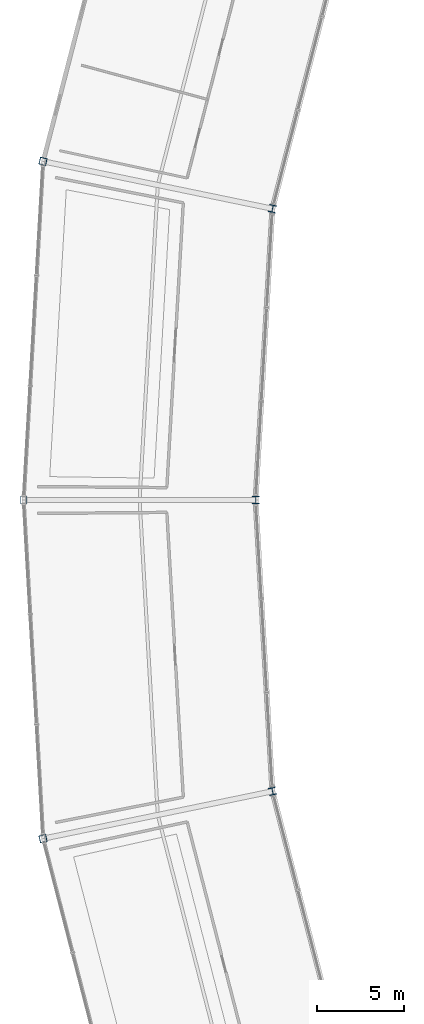
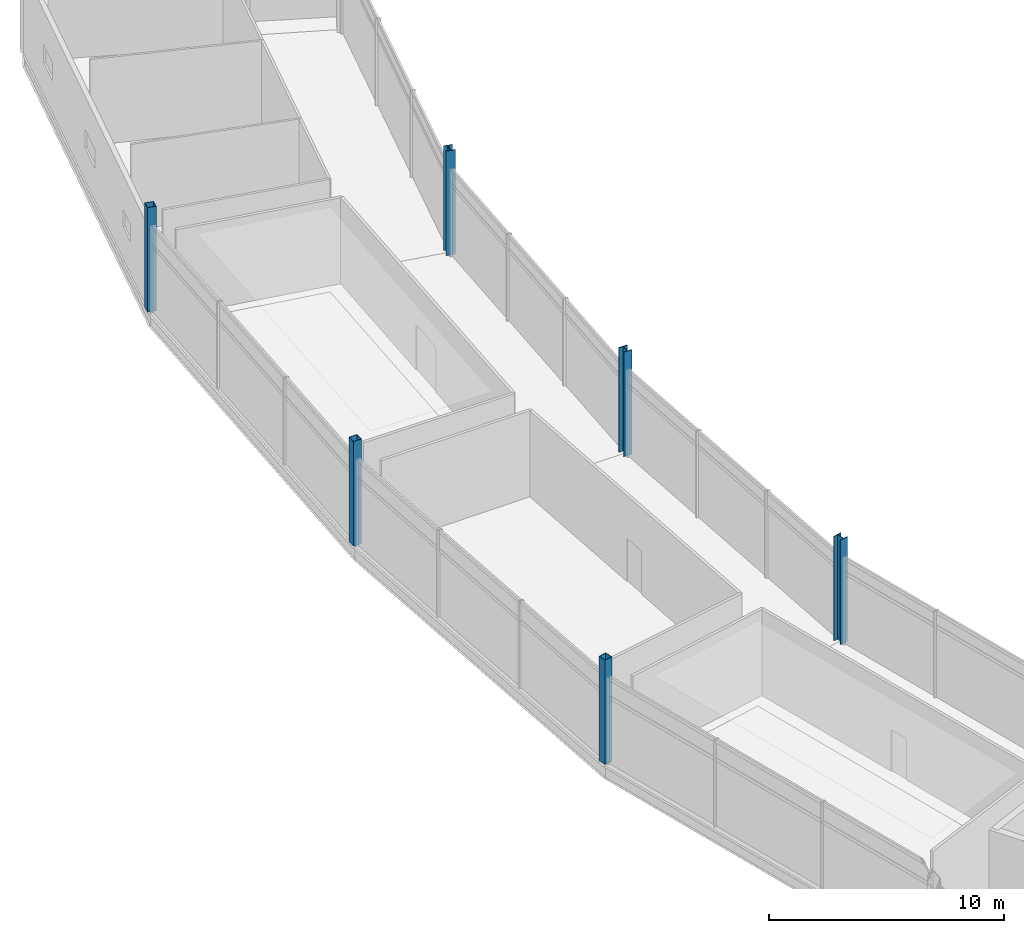
# One storey, part 4 of 86: 6 columns.
"""IFC4 building model written with IfcOpenShell, lengths in metres."""

from ifc_helpers import new_model, si_unit, direction, frame, origin, origin_2d, place, context, subcontext, project, spatial, hollow_rectangle, i_section, extrude, material, material_profile, profile_set, type_object, element, save


model = new_model("IFC4")

# Units and contexts
model_context = context("Model", 3, precision=1e-05, world=origin(), true_north=direction((0.0, 1.0)))
body_context = subcontext(model_context, "Body", "Model", "MODEL_VIEW")
ifc_project = project(units=[si_unit("LENGTHUNIT", "METRE"), si_unit("AREAUNIT", "SQUARE_METRE"), si_unit("VOLUMEUNIT", "CUBIC_METRE"), si_unit("PLANEANGLEUNIT", "RADIAN"), si_unit("MASSUNIT", "GRAM", prefix="KILO")], contexts=[model_context])

# Site, building, storey
site_placement = place(None, origin())
site = spatial("IfcSite", under=ifc_project, at=site_placement, CompositionType="ELEMENT")
building_placement = place(site_placement, origin())
building = spatial("IfcBuilding", under=site, at=building_placement, Name="Kazemori Nagisa Stadium", CompositionType="ELEMENT")
storey_placement = place(building_placement, frame((0.0, 0.0, 31.280029296875)))
storey = spatial("IfcBuildingStorey", under=building, at=storey_placement, Name="L06", CompositionType="ELEMENT", Elevation=31.280029296875)

# Columns
ifc_material_1 = material(Name="Steel SN490B", Category="steel")
ifc_material_profile_1 = material_profile(ifc_material_1, i_section(OverallWidth=0.406982421875, OverallDepth=0.427978515625, WebThickness=0.02001953125, FlangeThickness=0.034912109375, FilletRadius=0.012939453125, at=origin_2d()), Name="H-428x407x20x35")
ifc_profile_set_1 = profile_set([ifc_material_profile_1], Name="Steel SN490B")
column_type_1 = type_object("IfcColumnType", Name="Column_C-H428", PredefinedType="COLUMN", material=ifc_profile_set_1)
for number, where, z_axis, x_axis, name in (
    (1, (42.262451171875, 118.68212890625, 0.0), (0.0, 0.0, 1.0), (-0.974927912182, 0.222520933954, 0.0), "Column C-H428 L06 R2-14"),
    (2, (41.300048828125, 102.0, 0.0), (0.0, 0.0, 1.0), (-1.0, 0.0, 0.0), "Column C-H428 L06 R2-15"),
    (3, (42.262451171875, 85.31787109375, 0.0), (0.0, 0.0, 1.0), (-0.974927912182, -0.222520933954, 0.0), "Column C-H428 L06 R2-16"),
):
    element("IfcColumn", number, at=place(storey_placement, frame(where, z_axis=z_axis, x_axis=x_axis)), inside=storey, type_object=column_type_1, Name=name, PredefinedType="COLUMN", context=body_context, shape_type="SweptSolid", body=[
        extrude(i_section(OverallWidth=0.406982421875, OverallDepth=0.427978515625, WebThickness=0.02001953125, FlangeThickness=0.034912109375, FilletRadius=0.012939453125, at=origin_2d()), origin(), (0.0, 0.0, 1.0), 5.43994140625),
    ])
ifc_material_2 = material(Name="Steel STKR490", Category="steel")
ifc_material_profile_2 = material_profile(ifc_material_2, hollow_rectangle(XDim=0.39990234375, YDim=0.39990234375, WallThickness=0.01904296875, at=origin_2d()), Name="SHS-400x400x19")
ifc_profile_set_2 = profile_set([ifc_material_profile_2], Name="Steel STKR490")
column_type_2 = type_object("IfcColumnType", Name="Column_C-ST400", PredefinedType="COLUMN", material=ifc_profile_set_2)
for number, where, z_axis, x_axis, name in (
    (4, (29.119140625, 121.397705078125, 0.0), (0.0, 0.0, 1.0), (-0.974927912182, 0.222520933954, 0.0), "Column C-ST400 L06 R3-14"),
    (5, (28.0, 102.0, 0.0), (0.0, 0.0, 1.0), (-1.0, 0.0, 0.0), "Column C-ST400 L06 R3-15"),
    (6, (29.119140625, 82.602294921875, 0.0), (0.0, 0.0, 1.0), (-0.974927912182, -0.222520933954, 0.0), "Column C-ST400 L06 R3-16"),
):
    element("IfcColumn", number, at=place(storey_placement, frame(where, z_axis=z_axis, x_axis=x_axis)), inside=storey, type_object=column_type_2, Name=name, PredefinedType="COLUMN", context=body_context, shape_type="SweptSolid", body=[
        extrude(hollow_rectangle(XDim=0.39990234375, YDim=0.39990234375, WallThickness=0.01904296875, at=origin_2d()), origin(), (0.0, 0.0, 1.0), 5.43994140625),
    ])

save(model, "model.ifc")
